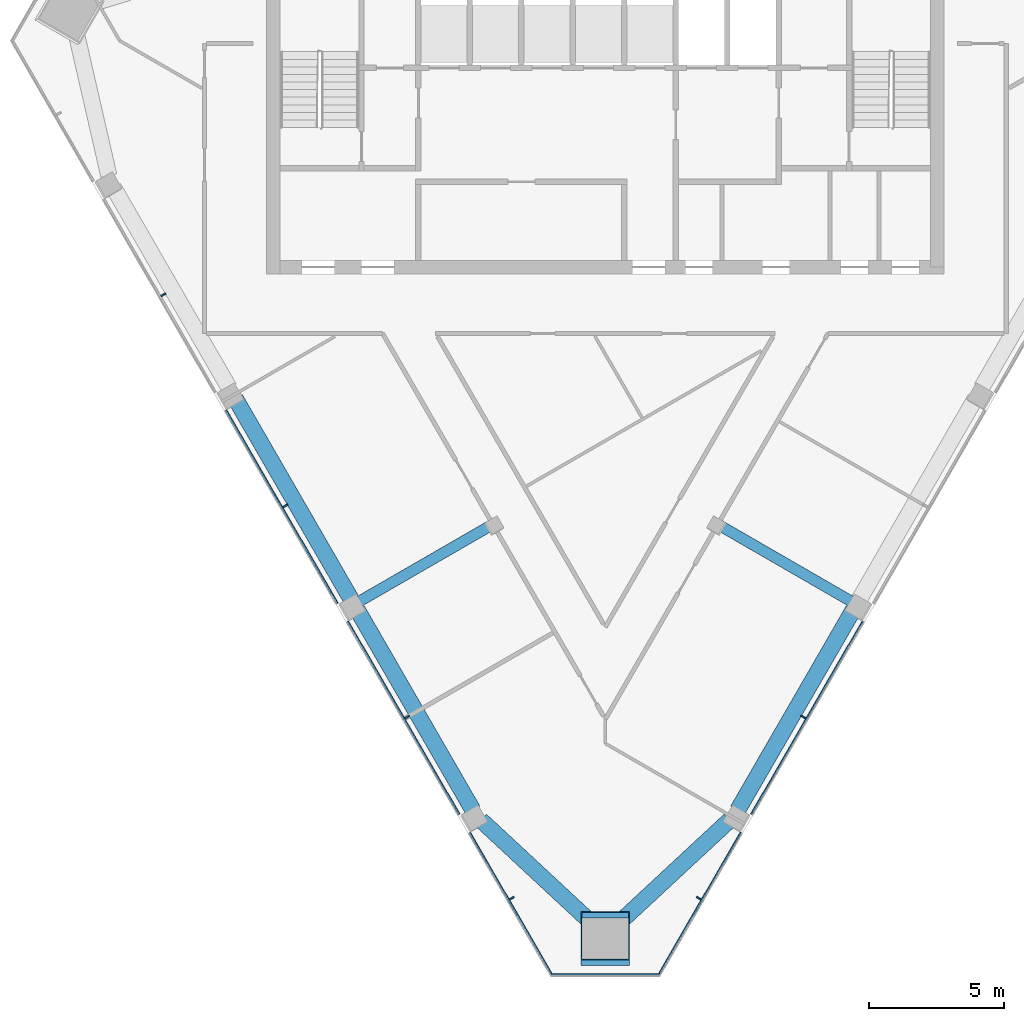
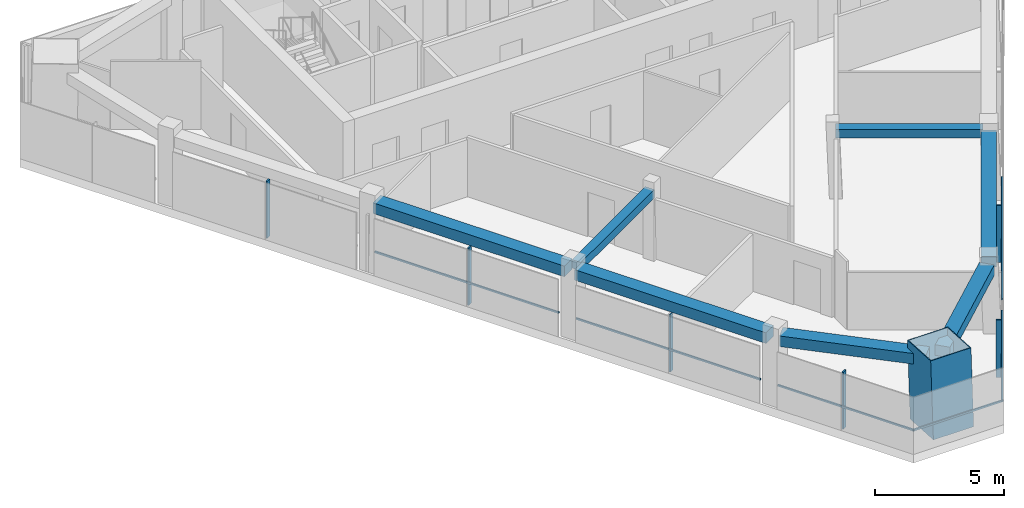
# One storey, part 2 of 9: 13 members, 7 beams, 3 elements without a shape of their own.
"""IFC4 building model written with IfcOpenShell, lengths in metres."""

from ifc_helpers import new_model, si_unit, direction, frame, origin, origin_2d, place, context, subcontext, project, spatial, rectangle, hollow_rectangle, extrude, material, layer, layer_set, material_profile, profile_set, type_object, element, aggregate, save


model = new_model("IFC4")

# Units and contexts
model_context = context("Model", 3, precision=1e-05, world=origin(), true_north=direction((0.0, 1.0)))
body_context = subcontext(model_context, "Body", "Model", "MODEL_VIEW")
ifc_project = project(units=[si_unit("LENGTHUNIT", "METRE"), si_unit("AREAUNIT", "SQUARE_METRE"), si_unit("VOLUMEUNIT", "CUBIC_METRE"), si_unit("PLANEANGLEUNIT", "RADIAN"), si_unit("MASSUNIT", "GRAM", prefix="KILO")], contexts=[model_context])

# Site, building, storey
site_placement = place(None, origin())
site = spatial("IfcSite", under=ifc_project, at=site_placement, CompositionType="ELEMENT")
building_placement = place(site_placement, origin())
building = spatial("IfcBuilding", under=site, at=building_placement, Name="Altiplano Prism Tower", CompositionType="ELEMENT")
storey_placement = place(building_placement, frame((0.0, 0.0, 305.800048828125)))
storey = spatial("IfcBuildingStorey", under=building, at=storey_placement, Name="L79", CompositionType="ELEMENT", Elevation=305.800048828125)

# Curtain wall, members
ifc_material_1 = material(Name="Aluminium and glass", Category="aluminium")
ifc_layer = layer(ifc_material_1, 0.303955078125)
ifc_layer_set = layer_set([ifc_layer], Name="Aluminium and glass")
curtain_wall_type = type_object("IfcCurtainWallType", Name="CW2 lounge-band unitised glazing", PredefinedType="NOTDEFINED", material=ifc_layer_set)
curtain_wall_1_placement = place(storey_placement, origin())
curtain_wall_1 = element("IfcCurtainWall", 1, at=curtain_wall_1_placement, inside=storey, type_object=curtain_wall_type, Name="CW2 curtain wall south-west face L79", PredefinedType="NOTDEFINED")
ifc_material_2 = material(Name="Aluminium", Category="aluminium")
ifc_material_profile_1 = material_profile(ifc_material_2, rectangle(XDim=0.199951171875, YDim=0.06005859375, at=origin_2d()), Name="CW2 mullion 60 x 200")
ifc_profile_set_1 = profile_set([ifc_material_profile_1], Name="Aluminium")
member_type_1 = type_object("IfcMemberType", Name="CW2 mullion 60 x 200", PredefinedType="MULLION", material=ifc_profile_set_1)
member_1_placement = place(storey_placement, frame((68.684814453125, 92.1259765625, 0.0), z_axis=(0.0, 0.0, 1.0), x_axis=(0.866025399334, 0.500000007709, 0.0)))
member_1 = element("IfcMember", 2, at=member_1_placement, type_object=member_type_1, Name="CW2 mullion", PredefinedType="MULLION", context=body_context, shape_type="SweptSolid", body=[
    extrude(rectangle(XDim=0.199951171875, YDim=0.06005859375, at=origin_2d()), origin(), (0.0, 0.0, 1.0), 2.699951171875),
])
member_2_placement = place(storey_placement, frame((73.184814453125, 84.33154296875, 0.0), z_axis=(0.0, 0.0, 1.0), x_axis=(0.866025399334, 0.500000007709, 0.0)))
member_2 = element("IfcMember", 3, at=member_2_placement, type_object=member_type_1, Name="CW2 mullion", PredefinedType="MULLION", context=body_context, shape_type="SweptSolid", body=[
    extrude(rectangle(XDim=0.199951171875, YDim=0.06005859375, at=origin_2d()), origin(), (0.0, 0.0, 1.0), 2.699951171875),
])
member_3_placement = place(storey_placement, frame((77.684814453125, 76.537353515625, 0.0), z_axis=(0.0, 0.0, 1.0), x_axis=(0.866025399334, 0.500000007709, 0.0)))
member_3 = element("IfcMember", 4, at=member_3_placement, type_object=member_type_1, Name="CW2 mullion", PredefinedType="MULLION", context=body_context, shape_type="SweptSolid", body=[
    extrude(rectangle(XDim=0.199951171875, YDim=0.06005859375, at=origin_2d()), origin(), (0.0, 0.0, 1.0), 2.699951171875),
])
member_4_placement = place(storey_placement, frame((81.5458984375, 69.849853515625, 0.0), z_axis=(0.0, 0.0, 1.0), x_axis=(0.866025399334, 0.500000007709, 0.0)))
member_4 = element("IfcMember", 5, at=member_4_placement, type_object=member_type_1, Name="CW2 mullion", PredefinedType="MULLION", context=body_context, shape_type="SweptSolid", body=[
    extrude(rectangle(XDim=0.199951171875, YDim=0.06005859375, at=origin_2d()), origin(), (0.0, 0.0, 1.0), 2.699951171875),
])

curtain_wall_2_placement = place(storey_placement, origin())
curtain_wall_2 = element("IfcCurtainWall", 6, at=curtain_wall_2_placement, inside=storey, type_object=curtain_wall_type, Name="CW2 curtain wall south-east face L79", PredefinedType="NOTDEFINED")
member_5_placement = place(storey_placement, frame((88.4541015625, 69.849853515625, 0.0), z_axis=(0.0, 0.0, 1.0), x_axis=(-0.866025399334, 0.500000007709, 0.0)))
member_5 = element("IfcMember", 7, at=member_5_placement, type_object=member_type_1, Name="CW2 mullion", PredefinedType="MULLION", context=body_context, shape_type="SweptSolid", body=[
    extrude(rectangle(XDim=0.199951171875, YDim=0.06005859375, at=origin_2d()), origin(), (0.0, 0.0, 1.0), 2.699951171875),
])
member_6_placement = place(storey_placement, frame((92.315185546875, 76.537353515625, 0.0), z_axis=(0.0, 0.0, 1.0), x_axis=(-0.866025399334, 0.500000007709, 0.0)))
member_6 = element("IfcMember", 8, at=member_6_placement, type_object=member_type_1, Name="CW2 mullion", PredefinedType="MULLION", context=body_context, shape_type="SweptSolid", body=[
    extrude(rectangle(XDim=0.199951171875, YDim=0.06005859375, at=origin_2d()), origin(), (0.0, 0.0, 1.0), 2.699951171875),
])

# Member
ifc_material_profile_2 = material_profile(ifc_material_2, rectangle(XDim=0.06005859375, YDim=0.080078125, at=origin_2d()), Name="CW2 transom 80 x 60")
ifc_profile_set_2 = profile_set([ifc_material_profile_2], Name="Aluminium")
member_type_2 = type_object("IfcMemberType", Name="CW2 transom 80 x 60", PredefinedType="USERDEFINED", material=ifc_profile_set_2)
member_7_placement = place(storey_placement, frame((70.99755859375, 87.860107421875, 1.099853515625), z_axis=(0.499991554064, -0.866030279993, 0.0), x_axis=(0.866030279993, 0.499991554064, 0.0)))
member_7 = element("IfcMember", 9, at=member_7_placement, type_object=member_type_2, Name="CW2 transom", ObjectType="TRANSOM", PredefinedType="USERDEFINED", context=body_context, shape_type="SweptSolid", body=[
    extrude(rectangle(XDim=0.06005859375, YDim=0.080078125, at=origin_2d()), origin(), (0.0, 0.0, 1.0), 8.219970703125),
])

member_8_placement = place(storey_placement, frame((75.49755859375, 80.06591796875, 1.099853515625), z_axis=(0.499991554064, -0.866030279993, 0.0), x_axis=(0.866030279993, 0.499991554064, 0.0)))
member_8 = element("IfcMember", 10, at=member_8_placement, type_object=member_type_2, Name="CW2 transom", ObjectType="TRANSOM", PredefinedType="USERDEFINED", context=body_context, shape_type="SweptSolid", body=[
    extrude(rectangle(XDim=0.06005859375, YDim=0.080078125, at=origin_2d()), origin(), (0.0, 0.0, 1.0), 8.219970703125),
])

member_9_placement = place(storey_placement, frame((79.99755859375, 72.271728515625, 1.099853515625), z_axis=(0.499982549514, -0.866035478593, 0.0), x_axis=(0.866035478593, 0.499982549514, 0.0)))
member_9 = element("IfcMember", 11, at=member_9_placement, type_object=member_type_2, Name="CW2 transom", ObjectType="TRANSOM", PredefinedType="USERDEFINED", context=body_context, shape_type="SweptSolid", body=[
    extrude(rectangle(XDim=0.06005859375, YDim=0.080078125, at=origin_2d()), origin(), (0.0, 0.0, 1.0), 6.093994140625),
])

aggregate(curtain_wall_1, [member_1, member_2, member_7, member_3, member_8, member_4, member_9])

# Curtain wall, member
curtain_wall_3_placement = place(storey_placement, origin())
curtain_wall_3 = element("IfcCurtainWall", 12, at=curtain_wall_3_placement, inside=storey, type_object=curtain_wall_type, Name="CW2 curtain wall south chamfer L79", PredefinedType="NOTDEFINED")
member_10_placement = place(storey_placement, frame((82.98046875, 67.03125, 1.099853515625), z_axis=(1.0, 0.0, 0.0), x_axis=(0.0, 1.0, 0.0)))
member_10 = element("IfcMember", 13, at=member_10_placement, type_object=member_type_2, Name="CW2 transom", ObjectType="TRANSOM", PredefinedType="USERDEFINED", context=body_context, shape_type="SweptSolid", body=[
    extrude(rectangle(XDim=0.06005859375, YDim=0.080078125, at=origin_2d()), origin(), (0.0, 0.0, 1.0), 4.0390625),
])
aggregate(curtain_wall_3, [member_10])

# Member
member_11_placement = place(storey_placement, frame((86.95556640625, 66.994140625, 1.099853515625), z_axis=(0.499982549514, 0.866035478593, 0.0), x_axis=(-0.866035478593, 0.499982549514, 0.0)))
member_11 = element("IfcMember", 14, at=member_11_placement, type_object=member_type_2, Name="CW2 transom", ObjectType="TRANSOM", PredefinedType="USERDEFINED", context=body_context, shape_type="SweptSolid", body=[
    extrude(rectangle(XDim=0.06005859375, YDim=0.080078125, at=origin_2d()), origin(), (0.0, 0.0, 1.0), 6.093994140625),
])

member_12_placement = place(storey_placement, frame((90.392578125, 72.947265625, 1.099853515625), z_axis=(0.499991554064, 0.866030279993, 0.0), x_axis=(-0.866030279993, 0.499991554064, 0.0)))
member_12 = element("IfcMember", 15, at=member_12_placement, type_object=member_type_2, Name="CW2 transom", ObjectType="TRANSOM", PredefinedType="USERDEFINED", context=body_context, shape_type="SweptSolid", body=[
    extrude(rectangle(XDim=0.06005859375, YDim=0.080078125, at=origin_2d()), origin(), (0.0, 0.0, 1.0), 8.219970703125),
])

aggregate(curtain_wall_2, [member_5, member_11, member_6, member_12])

# Beams
ifc_material_3 = material(Name="Concrete C60/75", Category="concrete")
ifc_material_profile_3 = material_profile(ifc_material_3, rectangle(XDim=0.60009765625, YDim=0.5, at=origin_2d()), Name="Edge beam 600x500")
ifc_profile_set_3 = profile_set([ifc_material_profile_3], Name="Concrete C60/75")
beam_type_1 = type_object("IfcBeamType", Name="Edge beam 600x500", PredefinedType="SPANDREL", material=ifc_profile_set_3)
for number, where, z_axis, x_axis, name in (
    (16, (71.343017578125, 88.291015625, 2.949951171875), (0.500007039007, -0.866021339774, 0.0), (0.866021339774, 0.500007039007, 0.0), "Edge beam P12-P13 L80"),
    (17, (75.843017578125, 80.496826171875, 2.949951171875), (0.500007039007, -0.866021339774, 0.0), (0.866021339774, 0.500007039007, 0.0), "Edge beam P13-P14 L80"),
):
    element("IfcBeam", number, at=place(storey_placement, frame(where, z_axis=z_axis, x_axis=x_axis)), inside=storey, type_object=beam_type_1, Name=name, PredefinedType="SPANDREL", context=body_context, shape_type="SweptSolid", body=[
        extrude(rectangle(XDim=0.60009765625, YDim=0.5, at=origin_2d()), origin(), (0.0, 0.0, 1.0), 8.5400390625),
    ])
for number, where, z_axis, x_axis, name in (
    (18, (80.408203125, 72.734130859375, 2.949951171875), (0.732584218484, -0.680676400964, 0.0), (0.680676400964, 0.732584218484, 0.0), "Edge beam P14-M1 L80"),
    (19, (85.32958984375, 68.77392578125, 2.949951171875), (0.732584218484, 0.680676400964, 0.0), (-0.680676400964, 0.732584218484, 0.0), "Edge beam M1-P21 L80"),
):
    element("IfcBeam", number, at=place(storey_placement, frame(where, z_axis=z_axis, x_axis=x_axis)), inside=storey, type_object=beam_type_1, Name=name, PredefinedType="SPANDREL", context=body_context, shape_type="SweptSolid", body=[
        extrude(rectangle(XDim=0.60009765625, YDim=0.5, at=origin_2d()), origin(), (0.0, 0.0, 1.0), 5.818115234375),
    ])
beam_placement = place(storey_placement, frame((89.886962890625, 73.10107421875, 2.949951171875), z_axis=(0.500007039007, 0.866021339774, 0.0), x_axis=(-0.866021339774, 0.500007039007, 0.0)))
element("IfcBeam", 20, at=beam_placement, inside=storey, type_object=beam_type_1, Name="Edge beam P21-P22 L80", PredefinedType="SPANDREL", context=body_context, shape_type="SweptSolid", body=[
    extrude(rectangle(XDim=0.60009765625, YDim=0.5, at=origin_2d()), origin(), (0.0, 0.0, 1.0), 8.5400390625),
])

# Member
ifc_material_4 = material(Name="Steel S460", Category="steel")
ifc_material_profile_4 = material_profile(ifc_material_4, hollow_rectangle(XDim=1.800048828125, YDim=1.800048828125, WallThickness=0.0400390625, at=origin_2d()), Name="Mega column tube 1800")
ifc_profile_set_4 = profile_set([ifc_material_profile_4], Name="Steel S460")
member_type_3 = type_object("IfcMemberType", Name="Mega column tube 1800", PredefinedType="POST", material=ifc_profile_set_4)
member_13_placement = place(storey_placement, frame((85.0, 68.25732421875, 0.0), z_axis=(0.0, 0.058293378456, 0.998299495156), x_axis=(-1.0, 0.0, 0.0)))
element("IfcMember", 21, at=member_13_placement, inside=storey, type_object=member_type_3, Name="Mega column tube M1 L79", PredefinedType="POST", context=body_context, shape_type="SweptSolid", body=[
    extrude(hollow_rectangle(XDim=1.800048828125, YDim=1.800048828125, WallThickness=0.0400390625, at=origin_2d()), origin(), (0.0, 0.0, 1.0), 3.60595703125),
])

# Beams
ifc_material_profile_5 = material_profile(ifc_material_3, rectangle(XDim=0.39990234375, YDim=0.39990234375, at=origin_2d()), Name="Tie beam 400x400")
ifc_profile_set_5 = profile_set([ifc_material_profile_5], Name="Concrete C60/75")
beam_type_2 = type_object("IfcBeamType", Name="Tie beam 400x400", PredefinedType="BEAM", material=ifc_profile_set_5)
for number, where, z_axis, x_axis, name in (
    (22, (80.854736328125, 83.656005859375, 3.0), (-0.866029822496, -0.499992346489, 0.0), (0.499992346489, -0.866029822496, 0.0), "Tie beam I13 L80"),
    (23, (89.145263671875, 83.656005859375, 3.0), (0.866029822496, -0.499992346489, 0.0), (0.499992346489, 0.866029822496, 0.0), "Tie beam I22 L80"),
):
    element("IfcBeam", number, at=place(storey_placement, frame(where, z_axis=z_axis, x_axis=x_axis)), inside=storey, type_object=beam_type_2, Name=name, PredefinedType="BEAM", context=body_context, shape_type="SweptSolid", body=[
        extrude(rectangle(XDim=0.39990234375, YDim=0.39990234375, at=origin_2d()), origin(), (0.0, 0.0, 1.0), 5.68994140625),
    ])

save(model, "model.ifc")
